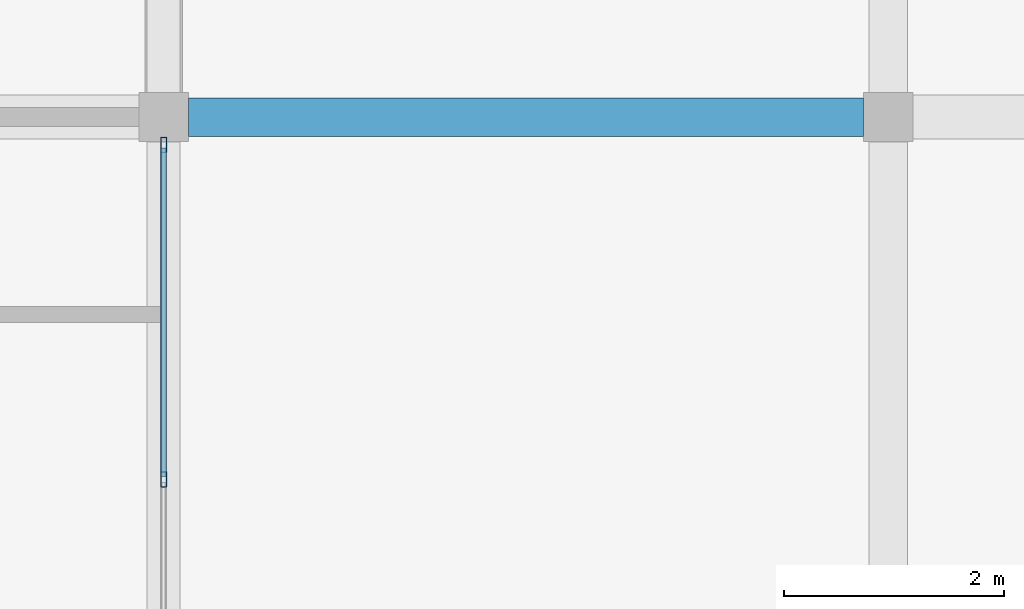
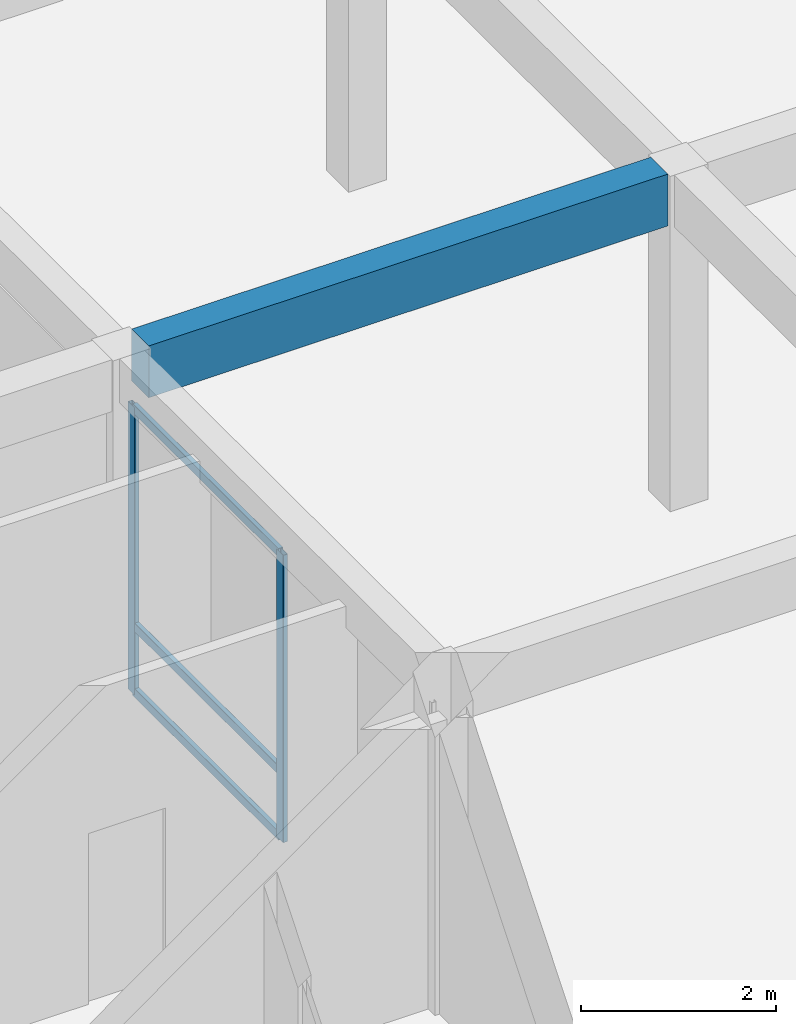
# One storey, part 15 of 75: 5 members, 1 beam, 1 element without a shape of its own.
"""IFC4 building model written with IfcOpenShell, lengths in metres."""

from ifc_helpers import new_model, si_unit, direction, frame, origin, origin_2d, place, context, subcontext, project, spatial, rectangle, hollow_rectangle, extrude, material, material_profile, profile_set, type_object, element, aggregate, save


model = new_model("IFC4")

# Units and contexts
model_context = context("Model", 3, precision=1e-05, world=origin(), true_north=direction((0.0, 1.0)))
body_context = subcontext(model_context, "Body", "Model", "MODEL_VIEW")
ifc_project = project(units=[si_unit("LENGTHUNIT", "METRE"), si_unit("AREAUNIT", "SQUARE_METRE"), si_unit("VOLUMEUNIT", "CUBIC_METRE"), si_unit("PLANEANGLEUNIT", "RADIAN"), si_unit("MASSUNIT", "GRAM", prefix="KILO")], contexts=[model_context])

# Site, building, storey
site_placement = place(None, origin())
site = spatial("IfcSite", under=ifc_project, at=site_placement, CompositionType="ELEMENT")
building_placement = place(site_placement, origin())
building = spatial("IfcBuilding", under=site, at=building_placement, Name="Kernevlak Ridge Housing Community", CompositionType="ELEMENT")
storey_placement = place(building_placement, origin())
storey = spatial("IfcBuildingStorey", under=building, at=storey_placement, Name="L00", CompositionType="ELEMENT", Elevation=0.0)

# Beam
ifc_material_1 = material(Name="Concrete C35/45", Category="concrete")
ifc_material_profile_1 = material_profile(ifc_material_1, rectangle(XDim=0.35009765625, YDim=0.64990234375, at=origin_2d()), Name="RC 350x650")
ifc_profile_set_1 = profile_set([ifc_material_profile_1], Name="Concrete C35/45")
beam_type = type_object("IfcBeamType", Name="B-02", PredefinedType="BEAM", material=ifc_profile_set_1)
beam_placement = place(storey_placement, frame((42.22509765625, 28.800048828125, 3.875), z_axis=(1.0, 0.0, 0.0), x_axis=(0.0, 1.0, 0.0)))
element("IfcBeam", 1, at=beam_placement, inside=storey, type_object=beam_type, Name="Beam B-02 L00 2080", PredefinedType="BEAM", context=body_context, shape_type="SweptSolid", body=[
    extrude(rectangle(XDim=0.35009765625, YDim=0.64990234375, at=origin_2d()), origin(), (0.0, 0.0, 1.0), 6.14990234375),
])

# Curtain wall, members
ifc_material_2 = material(Name="Aluminium EN AW-6060 anodised and laminated glass", Category="aluminium")
curtain_wall_type = type_object("IfcCurtainWallType", Name="CW-02", PredefinedType="NOTDEFINED", material=ifc_material_2)
curtain_wall_placement = place(storey_placement, origin())
curtain_wall = element("IfcCurtainWall", 2, at=curtain_wall_placement, inside=storey, type_object=curtain_wall_type, Name="Curtain wall CW-02 CW-L00-141", PredefinedType="NOTDEFINED")
ifc_material_3 = material(Name="Aluminium EN AW-6060 anodised", Category="aluminium")
ifc_material_profile_2 = material_profile(ifc_material_3, hollow_rectangle(XDim=0.054931640625, YDim=0.139892578125, WallThickness=0.00390625, InnerFilletRadius=0.001953125, OuterFilletRadius=0.00390625, at=origin_2d()), Name="ALU 55x140x4")
ifc_profile_set_2 = profile_set([ifc_material_profile_2], Name="Aluminium EN AW-6060 anodised")
member_type_1 = type_object("IfcMemberType", Name="MU-01", PredefinedType="MULLION", material=ifc_profile_set_2)
member_1_placement = place(storey_placement, frame((42.0, 25.5, 0.0), z_axis=(0.0, 0.0, 1.0), x_axis=(-1.0, 0.0, 0.0)))
member_1 = element("IfcMember", 3, at=member_1_placement, type_object=member_type_1, Name="CW-02 mullion 2", PredefinedType="MULLION", context=body_context, shape_type="SweptSolid", body=[
    extrude(hollow_rectangle(XDim=0.054931640625, YDim=0.139892578125, WallThickness=0.00390625, InnerFilletRadius=0.001953125, OuterFilletRadius=0.00390625, at=origin_2d()), origin(), (0.0, 0.0, 1.0), 3.60009765625),
])
member_2_placement = place(storey_placement, frame((42.0, 28.547607421875, 0.0), z_axis=(0.0, 0.0, 1.0), x_axis=(-1.0, 0.0, 0.0)))
member_2 = element("IfcMember", 4, at=member_2_placement, type_object=member_type_1, Name="CW-02 mullion 3", PredefinedType="MULLION", context=body_context, shape_type="SweptSolid", body=[
    extrude(hollow_rectangle(XDim=0.054931640625, YDim=0.139892578125, WallThickness=0.00390625, InnerFilletRadius=0.001953125, OuterFilletRadius=0.00390625, at=origin_2d()), origin(), (0.0, 0.0, 1.0), 3.60009765625),
])
ifc_material_profile_3 = material_profile(ifc_material_3, hollow_rectangle(XDim=0.054931640625, YDim=0.110107421875, WallThickness=0.00390625, InnerFilletRadius=0.001953125, OuterFilletRadius=0.00390625, at=origin_2d()), Name="ALU 55x110x4")
ifc_profile_set_3 = profile_set([ifc_material_profile_3], Name="Aluminium EN AW-6060 anodised")
member_type_2 = type_object("IfcMemberType", Name="TM-01", PredefinedType="USERDEFINED", material=ifc_profile_set_3)
member_3_placement = place(storey_placement, frame((42.0, 25.527587890625, 0.027587890625), z_axis=(0.0, 1.0, 0.0), x_axis=(-1.0, 0.0, 0.0)))
member_3 = element("IfcMember", 5, at=member_3_placement, type_object=member_type_2, Name="CW-02 transom 2.1", ObjectType="TRANSOM", PredefinedType="USERDEFINED", context=body_context, shape_type="SweptSolid", body=[
    extrude(hollow_rectangle(XDim=0.054931640625, YDim=0.110107421875, WallThickness=0.00390625, InnerFilletRadius=0.001953125, OuterFilletRadius=0.00390625, at=origin_2d()), origin(), (0.0, 0.0, 1.0), 2.992431640625),
])
member_4_placement = place(storey_placement, frame((42.0, 25.527587890625, 0.85009765625), z_axis=(0.0, 1.0, 0.0), x_axis=(-1.0, 0.0, 0.0)))
member_4 = element("IfcMember", 6, at=member_4_placement, type_object=member_type_2, Name="CW-02 transom 2.2", ObjectType="TRANSOM", PredefinedType="USERDEFINED", context=body_context, shape_type="SweptSolid", body=[
    extrude(hollow_rectangle(XDim=0.054931640625, YDim=0.110107421875, WallThickness=0.00390625, InnerFilletRadius=0.001953125, OuterFilletRadius=0.00390625, at=origin_2d()), origin(), (0.0, 0.0, 1.0), 2.992431640625),
])
member_5_placement = place(storey_placement, frame((42.0, 25.527587890625, 3.572509765625), z_axis=(0.0, 1.0, 0.0), x_axis=(-1.0, 0.0, 0.0)))
member_5 = element("IfcMember", 7, at=member_5_placement, type_object=member_type_2, Name="CW-02 transom 2.3", ObjectType="TRANSOM", PredefinedType="USERDEFINED", context=body_context, shape_type="SweptSolid", body=[
    extrude(hollow_rectangle(XDim=0.054931640625, YDim=0.110107421875, WallThickness=0.00390625, InnerFilletRadius=0.001953125, OuterFilletRadius=0.00390625, at=origin_2d()), origin(), (0.0, 0.0, 1.0), 2.992431640625),
])
aggregate(curtain_wall, [member_1, member_2, member_3, member_4, member_5])

save(model, "model.ifc")
